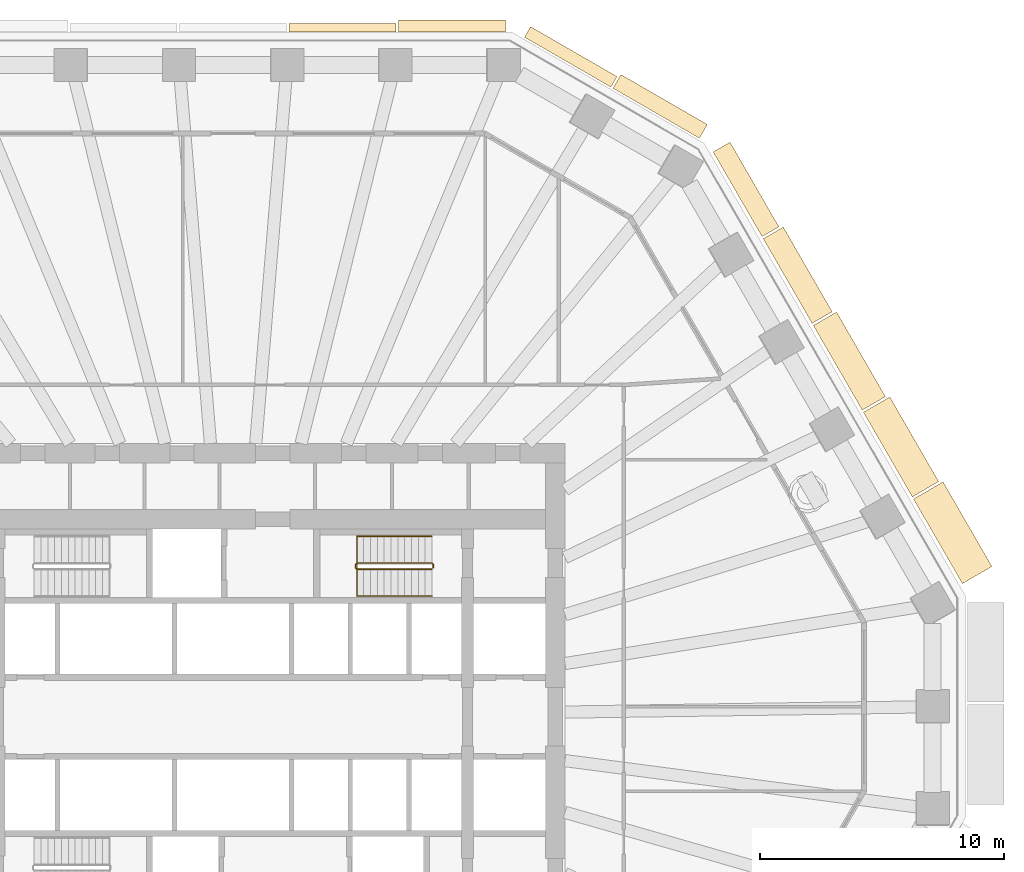
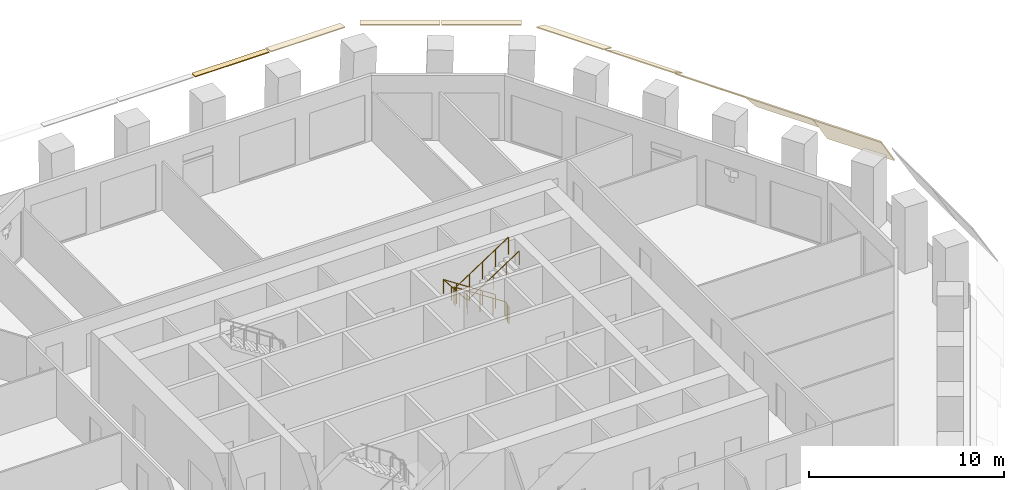
# One storey, part 11 of 13: 9 coverings, 2 railings.
"""IFC4 building model written with IfcOpenShell, lengths in metres."""

from ifc_helpers import new_model, si_unit, direction, frame, origin, origin_2d, place, context, subcontext, project, spatial, polyline, circle, outline, extrude, material, layer, layer_set, type_object, element, save


model = new_model("IFC4")

# Units and contexts
model_context = context("Model", 3, precision=1e-05, world=origin(), true_north=direction((0.0, 1.0)))
body_context = subcontext(model_context, "Body", "Model", "MODEL_VIEW")
ifc_project = project(units=[si_unit("LENGTHUNIT", "METRE"), si_unit("AREAUNIT", "SQUARE_METRE"), si_unit("VOLUMEUNIT", "CUBIC_METRE"), si_unit("PLANEANGLEUNIT", "RADIAN"), si_unit("MASSUNIT", "GRAM", prefix="KILO")], contexts=[model_context])

# Site, building, storey
site_placement = place(None, origin())
site = spatial("IfcSite", under=ifc_project, at=site_placement, CompositionType="ELEMENT")
building_placement = place(site_placement, origin())
building = spatial("IfcBuilding", under=site, at=building_placement, Name="Frailejon Research Tower", CompositionType="ELEMENT")
storey_placement = place(building_placement, frame((0.0, 0.0, 94.0)))
storey = spatial("IfcBuildingStorey", under=building, at=storey_placement, Name="L20", CompositionType="ELEMENT", Elevation=94.0)

# Coverings
ifc_material_1 = material(Name="Precast concrete C50/60", Category="concrete")
ifc_layer_1 = layer(ifc_material_1, 0.06005859375)
ifc_layer_set_1 = layer_set([ifc_layer_1], Name="Brim blade depth 1100")
covering_type_1 = type_object("IfcCoveringType", Name="Brim blade depth 1100", PredefinedType="CLADDING", material=ifc_layer_set_1)
covering_1_placement = place(storey_placement, frame((23.77001953125, 16.035400390625, 4.25), z_axis=(0.50000437419, -0.86602287833, 0.0), x_axis=(0.86602287833, 0.50000437419, 0.0)))
element("IfcCovering", 1, at=covering_1_placement, inside=storey, type_object=covering_type_1, Name="Brim blade L20", PredefinedType="CLADDING", context=body_context, shape_type="SweptSolid", body=[
    extrude(outline(polyline([(0.0, -0.078369140625), (1.10009765625, -1.001220703125), (1.10009765625, -0.923095703125), (0.0, 0.0), (0.0, -0.078369140625)])), origin(), (0.0, 0.0, 1.0), 4.004150390625),
])
ifc_material_2 = material(Name="Precast concrete C50/60", Category="concrete")
ifc_layer_2 = layer(ifc_material_2, 0.06005859375)
ifc_layer_set_2 = layer_set([ifc_layer_2], Name="Brim blade depth 1250")
covering_type_2 = type_object("IfcCoveringType", Name="Brim blade depth 1250", PredefinedType="CLADDING", material=ifc_layer_set_2)
covering_2_placement = place(storey_placement, frame((25.822021484375, 12.481201171875, 4.25), z_axis=(0.499993824204, -0.866028969353, 0.0), x_axis=(0.866028969353, 0.499993824204, 0.0)))
element("IfcCovering", 2, at=covering_2_placement, inside=storey, type_object=covering_type_2, Name="Brim blade L20", PredefinedType="CLADDING", context=body_context, shape_type="SweptSolid", body=[
    extrude(outline(polyline([(0.0, -0.0888671875), (1.25, -1.452880859375), (1.25, -1.364013671875), (0.0, 0.0), (0.0, -0.0888671875)])), origin(), (0.0, 0.0, 1.0), 4.00439453125),
])
ifc_material_3 = material(Name="Precast concrete C50/60", Category="concrete")
ifc_layer_3 = layer(ifc_material_3, 0.06005859375)
ifc_layer_set_3 = layer_set([ifc_layer_3], Name="Brim blade depth 1400")
covering_type_3 = type_object("IfcCoveringType", Name="Brim blade depth 1400", PredefinedType="CLADDING", material=ifc_layer_set_3)
covering_3_placement = place(storey_placement, frame((27.8740234375, 8.9267578125, 4.25), z_axis=(0.50000437419, -0.86602287833, 0.0), x_axis=(0.86602287833, 0.50000437419, 0.0)))
element("IfcCovering", 3, at=covering_3_placement, inside=storey, type_object=covering_type_3, Name="Brim blade L20", PredefinedType="CLADDING", context=body_context, shape_type="SweptSolid", body=[
    extrude(outline(polyline([(0.0, -0.1044921875), (1.39990234375, -2.10400390625), (1.39990234375, -1.99951171875), (0.0, 0.0), (0.0, -0.1044921875)])), origin(), (0.0, 0.0, 1.0), 4.004150390625),
])
ifc_material_4 = material(Name="Precast concrete C50/60", Category="concrete")
ifc_layer_4 = layer(ifc_material_4, 0.06005859375)
ifc_layer_set_4 = layer_set([ifc_layer_4], Name="Brim blade depth 350")
covering_type_4 = type_object("IfcCoveringType", Name="Brim blade depth 350", PredefinedType="CLADDING", material=ifc_layer_set_4)
covering_4_placement = place(storey_placement, frame((2.293701171875, 28.050048828125, 4.25), z_axis=(1.0, 0.0, 0.0), x_axis=(0.0, 1.0, 0.0)))
element("IfcCovering", 4, at=covering_4_placement, inside=storey, type_object=covering_type_4, Name="Brim blade L20", PredefinedType="CLADDING", context=body_context, shape_type="SweptSolid", body=[
    extrude(outline(polyline([(0.0, -0.06005859375), (0.35009765625, -0.06005859375), (0.35009765625, 0.0), (0.0, 0.0), (0.0, -0.06005859375)])), origin(), (0.0, 0.0, 1.0), 4.387451171875),
])
ifc_material_5 = material(Name="Precast concrete C50/60", Category="concrete")
ifc_layer_5 = layer(ifc_material_5, 0.06005859375)
ifc_layer_set_5 = layer_set([ifc_layer_5], Name="Brim blade depth 500")
covering_type_5 = type_object("IfcCoveringType", Name="Brim blade depth 500", PredefinedType="CLADDING", material=ifc_layer_set_5)
covering_5_placement = place(storey_placement, frame((11.936767578125, 27.843994140625, 4.25), z_axis=(0.866027315287, -0.499996689166, 0.0), x_axis=(0.499996689166, 0.866027315287, 0.0)))
element("IfcCovering", 5, at=covering_5_placement, inside=storey, type_object=covering_type_5, Name="Brim blade L20", PredefinedType="CLADDING", context=body_context, shape_type="SweptSolid", body=[
    extrude(outline(polyline([(0.0, -0.060546875), (0.5, -0.130859375), (0.5, -0.0703125), (0.0, 0.0), (0.0, -0.060546875)])), origin(), (0.0, 0.0, 1.0), 4.087646484375),
])
covering_6_placement = place(storey_placement, frame((6.781005859375, 28.050048828125, 4.25), z_axis=(1.0, 0.0, 0.0), x_axis=(0.0, 1.0, 0.0)))
element("IfcCovering", 6, at=covering_6_placement, inside=storey, type_object=covering_type_5, Name="Brim blade L20", PredefinedType="CLADDING", context=body_context, shape_type="SweptSolid", body=[
    extrude(outline(polyline([(0.0, -0.060546875), (0.5, -0.130859375), (0.5, -0.0703125), (0.0, 0.0), (0.0, -0.060546875)])), origin(), (0.0, 0.0, 1.0), 4.387451171875),
])
ifc_material_6 = material(Name="Precast concrete C50/60", Category="concrete")
ifc_layer_6 = layer(ifc_material_6, 0.06005859375)
ifc_layer_set_6 = layer_set([ifc_layer_6], Name="Brim blade depth 650")
covering_type_6 = type_object("IfcCoveringType", Name="Brim blade depth 650", PredefinedType="CLADDING", material=ifc_layer_set_6)
covering_7_placement = place(storey_placement, frame((15.5634765625, 25.750244140625, 4.25), z_axis=(0.866021344981, -0.500007029989, 0.0), x_axis=(0.500007029989, 0.866021344981, 0.0)))
element("IfcCovering", 7, at=covering_7_placement, inside=storey, type_object=covering_type_6, Name="Brim blade L20", PredefinedType="CLADDING", context=body_context, shape_type="SweptSolid", body=[
    extrude(outline(polyline([(0.0, -0.0625), (0.64990234375, -0.248779296875), (0.64990234375, -0.186279296875), (0.0, 0.0), (0.0, -0.0625)])), origin(), (0.0, 0.0, 1.0), 4.08740234375),
])
ifc_material_7 = material(Name="Precast concrete C50/60", Category="concrete")
ifc_layer_7 = layer(ifc_material_7, 0.06005859375)
ifc_layer_set_7 = layer_set([ifc_layer_7], Name="Brim blade depth 800")
covering_type_7 = type_object("IfcCoveringType", Name="Brim blade depth 800", PredefinedType="CLADDING", material=ifc_layer_set_7)
covering_8_placement = place(storey_placement, frame((19.665771484375, 23.14404296875, 4.25), z_axis=(0.50000437419, -0.86602287833, 0.0), x_axis=(0.86602287833, 0.50000437419, 0.0)))
element("IfcCovering", 8, at=covering_8_placement, inside=storey, type_object=covering_type_7, Name="Brim blade L20", PredefinedType="CLADDING", context=body_context, shape_type="SweptSolid", body=[
    extrude(outline(polyline([(0.0, -0.065673828125), (0.800048828125, -0.421875), (0.800048828125, -0.356201171875), (0.0, 0.0), (0.0, -0.065673828125)])), origin(), (0.0, 0.0, 1.0), 4.004150390625),
])
ifc_material_8 = material(Name="Precast concrete C50/60", Category="concrete")
ifc_layer_8 = layer(ifc_material_8, 0.06005859375)
ifc_layer_set_8 = layer_set([ifc_layer_8], Name="Brim blade depth 950")
covering_type_8 = type_object("IfcCoveringType", Name="Brim blade depth 950", PredefinedType="CLADDING", material=ifc_layer_set_8)
covering_9_placement = place(storey_placement, frame((21.7177734375, 19.58984375, 4.25), z_axis=(0.499993824204, -0.866028969353, 0.0), x_axis=(0.866028969353, 0.499993824204, 0.0)))
element("IfcCovering", 9, at=covering_9_placement, inside=storey, type_object=covering_type_8, Name="Brim blade L20", PredefinedType="CLADDING", context=body_context, shape_type="SweptSolid", body=[
    extrude(outline(polyline([(0.0, -0.07080078125), (0.949951171875, -0.664306640625), (0.949951171875, -0.593505859375), (0.0, 0.0), (0.0, -0.07080078125)])), origin(), (0.0, 0.0, 1.0), 4.00439453125),
])

# Railings
ifc_material_9 = material(Name="Stainless steel", Category="steel")
railing_type_1 = type_object("IfcRailingType", Name="Stair guard 1100", PredefinedType="GUARDRAIL", material=ifc_material_9)
railing_1_placement = place(storey_placement, frame((8.199951171875, 6.10009765625, 0.0)))
element("IfcRailing", 10, at=railing_1_placement, inside=storey, type_object=railing_type_1, Name="L20 ST3 stair guard 1", PredefinedType="GUARDRAIL", context=body_context, shape_type="SweptSolid", body=[
    extrude(circle(Radius=0.02392578125, at=origin_2d()), frame((0.0, 0.0, 1.076171875), z_axis=(0.0, 1.0, 0.0), x_axis=(-1.0, 0.0, 0.0)), (0.0, 0.0, 1.0), 0.14990234375),
    extrude(circle(Radius=0.02392578125, at=origin_2d()), frame((0.0, 0.14990234375, 1.076171875), z_axis=(-0.254653276557, 0.254653276557, 0.932900539971), x_axis=(-0.707106781187, -0.707106781187, 0.0)), (0.0, 0.0, 1.0), 0.196533203125),
    extrude(circle(Radius=0.02392578125, at=origin_2d()), frame((-0.050048828125, 0.199951171875, 1.25927734375), z_axis=(-0.836613101238, 0.0, 0.547794230379), x_axis=(0.0, -1.0, 0.0)), (0.0, 0.0, 1.0), 3.681396484375),
    extrude(circle(Radius=0.02392578125, at=origin_2d()), frame((-3.1298828125, 0.199951171875, 3.27587890625), z_axis=(-0.707106781187, -0.707106781187, 0.0), x_axis=(0.707106781187, -0.707106781187, 0.0)), (0.0, 0.0, 1.0), 0.07080078125),
    extrude(circle(Radius=0.02392578125, at=origin_2d()), frame((-3.179931640625, 0.14990234375, 3.27587890625), z_axis=(0.0, -1.0, 0.0), x_axis=(1.0, 0.0, 0.0)), (0.0, 0.0, 1.0), 0.14990234375),
    extrude(circle(Radius=0.02392578125, at=origin_2d()), frame((-3.179931640625, 0.0, 3.27587890625), z_axis=(0.254653276557, -0.254653276557, 0.932900539971), x_axis=(0.707106781187, 0.707106781187, 0.0)), (0.0, 0.0, 1.0), 0.196533203125),
    extrude(circle(Radius=0.02392578125, at=origin_2d()), frame((-3.1298828125, -0.050048828125, 3.45947265625), z_axis=(0.836613101238, 0.0, 0.547794230379), x_axis=(0.0, 1.0, 0.0)), (0.0, 0.0, 1.0), 3.681396484375),
    extrude(circle(Radius=0.02099609375, at=origin_2d()), origin(), (0.0, 0.0, 1.0), 1.052001953125),
    extrude(circle(Radius=0.02099609375, at=origin_2d()), frame((0.0, 0.14990234375, 0.0)), (0.0, 0.0, 1.0), 1.052001953125),
    extrude(circle(Radius=0.02099609375, at=origin_2d()), frame((-0.050048828125, 0.199951171875, 0.183349609375)), (0.0, 0.0, 1.0), 1.052001953125),
    extrude(circle(Radius=0.02099609375, at=origin_2d()), frame((-0.820068359375, 0.199951171875, 0.6875)), (0.0, 0.0, 1.0), 1.052001953125),
    extrude(circle(Radius=0.02099609375, at=origin_2d()), frame((-1.58984375, 0.199951171875, 1.191650390625)), (0.0, 0.0, 1.0), 1.052001953125),
    extrude(circle(Radius=0.02099609375, at=origin_2d()), frame((-2.35986328125, 0.199951171875, 1.69580078125)), (0.0, 0.0, 1.0), 1.052001953125),
    extrude(circle(Radius=0.02099609375, at=origin_2d()), frame((-3.1298828125, 0.199951171875, 2.199951171875)), (0.0, 0.0, 1.0), 1.052001953125),
    extrude(circle(Radius=0.02099609375, at=origin_2d()), frame((-3.179931640625, 0.14990234375, 2.199951171875)), (0.0, 0.0, 1.0), 1.052001953125),
    extrude(circle(Radius=0.02099609375, at=origin_2d()), frame((-3.179931640625, 0.0, 2.199951171875)), (0.0, 0.0, 1.0), 1.052001953125),
    extrude(circle(Radius=0.02099609375, at=origin_2d()), frame((-3.1298828125, -0.050048828125, 2.38330078125)), (0.0, 0.0, 1.0), 1.052001953125),
    extrude(circle(Radius=0.02099609375, at=origin_2d()), frame((-2.35986328125, -0.050048828125, 2.887451171875)), (0.0, 0.0, 1.0), 1.052001953125),
    extrude(circle(Radius=0.02099609375, at=origin_2d()), frame((-1.58984375, -0.050048828125, 3.3916015625)), (0.0, 0.0, 1.0), 1.052001953125),
    extrude(circle(Radius=0.02099609375, at=origin_2d()), frame((-0.820068359375, -0.050048828125, 3.895751953125)), (0.0, 0.0, 1.0), 1.052001953125),
    extrude(circle(Radius=0.02099609375, at=origin_2d()), frame((-0.050048828125, -0.050048828125, 4.39990234375)), (0.0, 0.0, 1.0), 1.052001953125),
])
ifc_material_10 = material(Name="Stainless steel", Category="steel")
railing_type_2 = type_object("IfcRailingType", Name="Stair handrail 900", PredefinedType="HANDRAIL", material=ifc_material_10)
railing_2_placement = place(storey_placement, frame((8.14990234375, 7.39990234375, 0.183349609375)))
element("IfcRailing", 11, at=railing_2_placement, inside=storey, type_object=railing_type_2, Name="L20 ST3 stair handrail 1", PredefinedType="HANDRAIL", context=body_context, shape_type="SweptSolid", body=[
    extrude(circle(Radius=0.02392578125, at=origin_2d()), frame((0.0, 0.0, 0.8759765625), z_axis=(-0.836613101238, 0.0, 0.547794230379), x_axis=(0.0, -1.0, 0.0)), (0.0, 0.0, 1.0), 3.681396484375),
    extrude(circle(Radius=0.02392578125, at=origin_2d()), frame((-3.079833984375, 0.0, 2.892578125), z_axis=(0.0, -0.99721134034, 0.074629368868), x_axis=(1.0, 0.0, 0.0)), (0.0, 0.0, 1.0), 2.456787109375),
    extrude(circle(Radius=0.02392578125, at=origin_2d()), frame((-3.079833984375, -2.449951171875, 3.07568359375), z_axis=(0.836613101238, 0.0, 0.547794230379), x_axis=(0.0, 1.0, 0.0)), (0.0, 0.0, 1.0), 3.681396484375),
    extrude(circle(Radius=0.02099609375, at=origin_2d()), origin(), (0.0, 0.0, 1.0), 0.851806640625),
    extrude(circle(Radius=0.02099609375, at=origin_2d()), frame((-0.77001953125, 0.0, 0.504150390625)), (0.0, 0.0, 1.0), 0.851806640625),
    extrude(circle(Radius=0.02099609375, at=origin_2d()), frame((-1.5400390625, 0.0, 1.00830078125)), (0.0, 0.0, 1.0), 0.851806640625),
    extrude(circle(Radius=0.02099609375, at=origin_2d()), frame((-2.309814453125, 0.0, 1.512451171875)), (0.0, 0.0, 1.0), 0.851806640625),
    extrude(circle(Radius=0.02099609375, at=origin_2d()), frame((-3.079833984375, 0.0, 2.0166015625)), (0.0, 0.0, 1.0), 0.851806640625),
    extrude(circle(Radius=0.02099609375, at=origin_2d()), frame((-3.079833984375, -0.816650390625, 2.07763671875)), (0.0, 0.0, 1.0), 0.851806640625),
    extrude(circle(Radius=0.02099609375, at=origin_2d()), frame((-3.079833984375, -1.63330078125, 2.138916015625)), (0.0, 0.0, 1.0), 0.851806640625),
    extrude(circle(Radius=0.02099609375, at=origin_2d()), frame((-3.079833984375, -2.449951171875, 2.199951171875)), (0.0, 0.0, 1.0), 0.851806640625),
    extrude(circle(Radius=0.02099609375, at=origin_2d()), frame((-2.309814453125, -2.449951171875, 2.7041015625)), (0.0, 0.0, 1.0), 0.851806640625),
    extrude(circle(Radius=0.02099609375, at=origin_2d()), frame((-1.5400390625, -2.449951171875, 3.208251953125)), (0.0, 0.0, 1.0), 0.851806640625),
    extrude(circle(Radius=0.02099609375, at=origin_2d()), frame((-0.77001953125, -2.449951171875, 3.71240234375)), (0.0, 0.0, 1.0), 0.851806640625),
    extrude(circle(Radius=0.02099609375, at=origin_2d()), frame((0.0, -2.449951171875, 4.216552734375)), (0.0, 0.0, 1.0), 0.851806640625),
])

save(model, "model.ifc")
